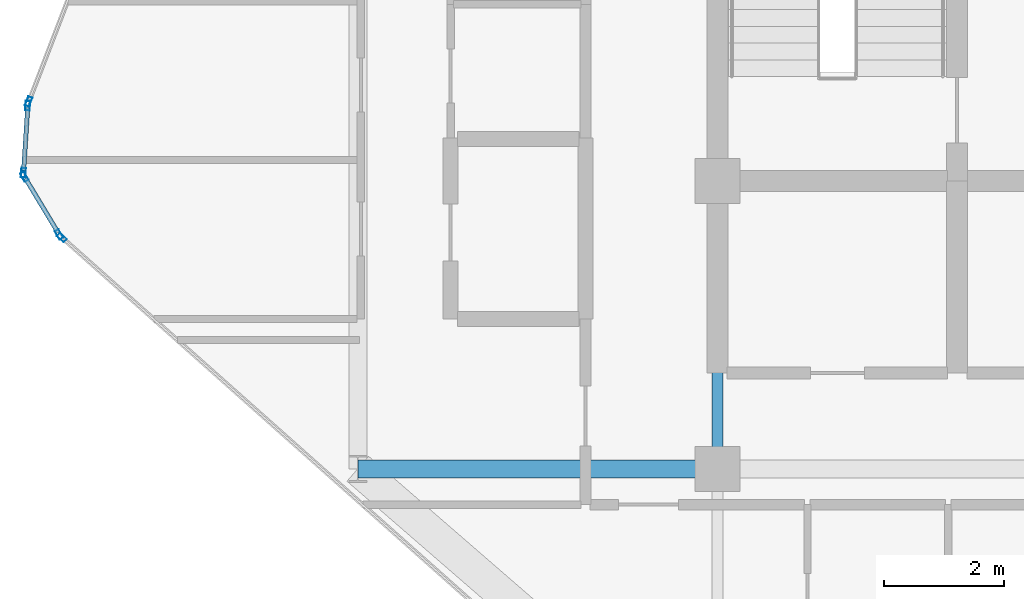
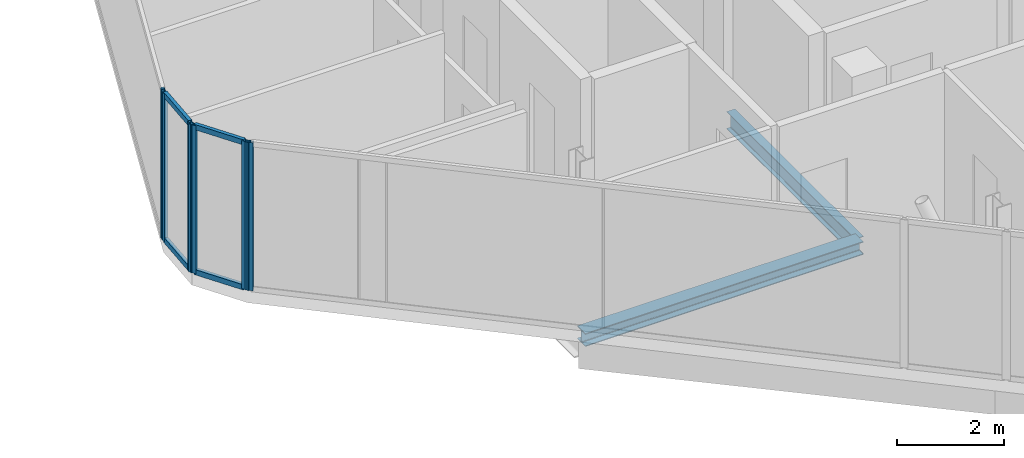
# One storey, part 8 of 29: 10 members, 2 beams, 4 elements without a shape of their own.
"""IFC4 building model written with IfcOpenShell, lengths in metres."""

from ifc_helpers import new_model, si_unit, direction, frame, origin, origin_2d, place, context, subcontext, project, spatial, hollow_rectangle, i_section, extrude, material, layer, layer_set, material_profile, profile_set, type_object, element, aggregate, save


model = new_model("IFC4")

# Units and contexts
model_context = context("Model", 3, precision=1e-05, world=origin(), true_north=direction((0.0, 1.0)))
body_context = subcontext(model_context, "Body", "Model", "MODEL_VIEW")
ifc_project = project(units=[si_unit("LENGTHUNIT", "METRE"), si_unit("AREAUNIT", "SQUARE_METRE"), si_unit("VOLUMEUNIT", "CUBIC_METRE"), si_unit("PLANEANGLEUNIT", "RADIAN"), si_unit("MASSUNIT", "GRAM", prefix="KILO")], contexts=[model_context])

# Site, building, storey
site_placement = place(None, origin())
site = spatial("IfcSite", under=ifc_project, at=site_placement, CompositionType="ELEMENT")
building_placement = place(site_placement, origin())
building = spatial("IfcBuilding", under=site, at=building_placement, Name="Keshet Zoharim Tower", CompositionType="ELEMENT")
storey_placement = place(building_placement, frame((0.0, 0.0, 214.300048828125)))
storey = spatial("IfcBuildingStorey", under=building, at=storey_placement, Name="L53", CompositionType="ELEMENT", Elevation=214.300048828125)

# Beams
ifc_material_1 = material(Name="Steel S355", Category="steel")
ifc_material_profile_1 = material_profile(ifc_material_1, i_section(OverallWidth=0.300048828125, OverallDepth=0.300048828125, WebThickness=0.010986328125, FlangeThickness=0.01904296875, FilletRadius=0.027099609375, at=origin_2d()), Name="HEB300")
ifc_profile_set_1 = profile_set([ifc_material_profile_1], Name="Steel S355")
beam_type_1 = type_object("IfcBeamType", Name="BM-PRI-HB300", PredefinedType="BEAM", material=ifc_profile_set_1)
beam_1_placement = place(storey_placement, frame((9.0, 17.89990234375, -0.4599609375), z_axis=(1.0, 0.0, 0.0), x_axis=(0.0, 1.0, 0.0)))
element("IfcBeam", 1, at=beam_1_placement, inside=storey, type_object=beam_type_1, Name="L53 Primary Girder X-011", PredefinedType="BEAM", context=body_context, shape_type="SweptSolid", body=[
    extrude(i_section(OverallWidth=0.300048828125, OverallDepth=0.300048828125, WebThickness=0.010986328125, FlangeThickness=0.01904296875, FilletRadius=0.027099609375, at=origin_2d()), origin(), (0.0, 0.0, 1.0), 6.0),
])
ifc_material_profile_2 = material_profile(ifc_material_1, i_section(OverallWidth=0.179931640625, OverallDepth=0.39990234375, WebThickness=0.008544921875, FlangeThickness=0.013427734375, FilletRadius=0.02099609375, at=origin_2d()), Name="IPE400")
ifc_profile_set_2 = profile_set([ifc_material_profile_2], Name="Steel S355")
beam_type_2 = type_object("IfcBeamType", Name="BM-PRI-IP400", PredefinedType="BEAM", material=ifc_profile_set_2)
beam_2_placement = place(storey_placement, frame((15.0, 17.89990234375, -0.510009765625), z_axis=(0.0, 1.0, 0.0), x_axis=(-1.0, 0.0, 0.0)))
element("IfcBeam", 2, at=beam_2_placement, inside=storey, type_object=beam_type_2, Name="L53 Primary Girder Y-003", PredefinedType="BEAM", context=body_context, shape_type="SweptSolid", body=[
    extrude(i_section(OverallWidth=0.179931640625, OverallDepth=0.39990234375, WebThickness=0.008544921875, FlangeThickness=0.013427734375, FilletRadius=0.02099609375, at=origin_2d()), origin(), (0.0, 0.0, 1.0), 4.800048828125),
])

# Curtain wall, member
ifc_material_2 = material(Name="Aluminium 6063-T6", Category="aluminium")
ifc_layer = layer(ifc_material_2, 0.139892578125)
ifc_layer_set = layer_set([ifc_layer], Name="Aluminium 6063-T6")
curtain_wall_type = type_object("IfcCurtainWallType", Name="CW-SYS-05", PredefinedType="NOTDEFINED", material=ifc_layer_set)
curtain_wall_1_placement = place(storey_placement, origin())
curtain_wall_1 = element("IfcCurtainWall", 3, at=curtain_wall_1_placement, inside=storey, type_object=curtain_wall_type, Name="L53 Unitised Curtain Wall 10 Part 3", PredefinedType="NOTDEFINED")
ifc_material_profile_3 = material_profile(ifc_material_2, hollow_rectangle(XDim=0.074951171875, YDim=0.159912109375, WallThickness=0.00390625, at=origin_2d()), Name="MUL-75x160")
ifc_profile_set_3 = profile_set([ifc_material_profile_3], Name="Aluminium 6063-T6")
member_type_1 = type_object("IfcMemberType", Name="CWM-M15", PredefinedType="MULLION", material=ifc_profile_set_3)
member_1_placement = place(storey_placement, frame((4.061279296875, 21.7568359375, 0.0), z_axis=(0.0, 0.0, 1.0), x_axis=(-0.664364335267, -0.747408877406, 0.0)))
member_1 = element("IfcMember", 4, at=member_1_placement, type_object=member_type_1, Name="CW-05 mullion 2", PredefinedType="MULLION", context=body_context, shape_type="SweptSolid", body=[
    extrude(hollow_rectangle(XDim=0.074951171875, YDim=0.159912109375, WallThickness=0.00390625, at=origin_2d()), origin(), (0.0, 0.0, 1.0), 3.3798828125),
])
aggregate(curtain_wall_1, [member_1])

# Curtain wall, members
curtain_wall_2_placement = place(storey_placement, origin())
curtain_wall_2 = element("IfcCurtainWall", 5, at=curtain_wall_2_placement, inside=storey, type_object=curtain_wall_type, Name="L53 Unitised Curtain Wall 11", PredefinedType="NOTDEFINED")
member_2_placement = place(storey_placement, frame((4.016845703125, 21.81005859375, 0.0), z_axis=(0.0, 0.0, 1.0), x_axis=(-0.856826433805, -0.515604947933, 0.0)))
member_2 = element("IfcMember", 6, at=member_2_placement, type_object=member_type_1, Name="CW-05 mullion 1", PredefinedType="MULLION", context=body_context, shape_type="SweptSolid", body=[
    extrude(hollow_rectangle(XDim=0.074951171875, YDim=0.159912109375, WallThickness=0.00390625, at=origin_2d()), origin(), (0.0, 0.0, 1.0), 3.3798828125),
])
member_3_placement = place(storey_placement, frame((3.43798828125, 22.77197265625, 0.0), z_axis=(0.0, 0.0, 1.0), x_axis=(-0.856826433805, -0.515604947933, 0.0)))
member_3 = element("IfcMember", 7, at=member_3_placement, type_object=member_type_1, Name="CW-05 mullion 2", PredefinedType="MULLION", context=body_context, shape_type="SweptSolid", body=[
    extrude(hollow_rectangle(XDim=0.074951171875, YDim=0.159912109375, WallThickness=0.00390625, at=origin_2d()), origin(), (0.0, 0.0, 1.0), 3.3798828125),
])

curtain_wall_3_placement = place(storey_placement, origin())
curtain_wall_3 = element("IfcCurtainWall", 8, at=curtain_wall_3_placement, inside=storey, type_object=curtain_wall_type, Name="L53 Unitised Curtain Wall 12", PredefinedType="NOTDEFINED")
member_4_placement = place(storey_placement, frame((3.42236328125, 22.8369140625, 0.0), z_axis=(0.0, 0.0, 1.0), x_axis=(-0.997916617186, 0.064516859374, 0.0)))
member_4 = element("IfcMember", 9, at=member_4_placement, type_object=member_type_1, Name="CW-05 mullion 1", PredefinedType="MULLION", context=body_context, shape_type="SweptSolid", body=[
    extrude(hollow_rectangle(XDim=0.074951171875, YDim=0.159912109375, WallThickness=0.00390625, at=origin_2d()), origin(), (0.0, 0.0, 1.0), 3.3798828125),
])
member_5_placement = place(storey_placement, frame((3.49462890625, 23.9580078125, 0.0), z_axis=(0.0, 0.0, 1.0), x_axis=(-0.997916617186, 0.064516859374, 0.0)))
member_5 = element("IfcMember", 10, at=member_5_placement, type_object=member_type_1, Name="CW-05 mullion 2", PredefinedType="MULLION", context=body_context, shape_type="SweptSolid", body=[
    extrude(hollow_rectangle(XDim=0.074951171875, YDim=0.159912109375, WallThickness=0.00390625, at=origin_2d()), origin(), (0.0, 0.0, 1.0), 3.3798828125),
])

# Curtain wall, member
curtain_wall_4_placement = place(storey_placement, origin())
curtain_wall_4 = element("IfcCurtainWall", 11, at=curtain_wall_4_placement, inside=storey, type_object=curtain_wall_type, Name="L53 Unitised Curtain Wall 13", PredefinedType="NOTDEFINED")
member_6_placement = place(storey_placement, frame((3.509521484375, 24.025634765625, 0.0), z_axis=(0.0, 0.0, 1.0), x_axis=(-0.933341404361, 0.358990003907, 0.0)))
member_6 = element("IfcMember", 12, at=member_6_placement, type_object=member_type_1, Name="CW-05 mullion 1", PredefinedType="MULLION", context=body_context, shape_type="SweptSolid", body=[
    extrude(hollow_rectangle(XDim=0.074951171875, YDim=0.159912109375, WallThickness=0.00390625, at=origin_2d()), origin(), (0.0, 0.0, 1.0), 3.3798828125),
])
aggregate(curtain_wall_4, [member_6])

# Member
ifc_material_profile_4 = material_profile(ifc_material_2, hollow_rectangle(XDim=0.074951171875, YDim=0.1201171875, WallThickness=0.00390625, at=origin_2d()), Name="TRN-75x120")
ifc_profile_set_4 = profile_set([ifc_material_profile_4], Name="Aluminium 6063-T6")
member_type_2 = type_object("IfcMemberType", Name="CWT-T12", PredefinedType="USERDEFINED", material=ifc_profile_set_4)
member_7_placement = place(storey_placement, frame((3.9990234375, 21.840087890625, 0.034912109375), z_axis=(-0.515791194107, 0.856714330499, 0.0), x_axis=(-0.856714330499, -0.515791194107, 0.0)))
member_7 = element("IfcMember", 13, at=member_7_placement, type_object=member_type_2, Name="CW-05 transom 1.1", ObjectType="TRANSOM", PredefinedType="USERDEFINED", context=body_context, shape_type="SweptSolid", body=[
    extrude(hollow_rectangle(XDim=0.074951171875, YDim=0.1201171875, WallThickness=0.00390625, at=origin_2d()), origin(), (0.0, 0.0, 1.0), 1.052734375),
])

member_8_placement = place(storey_placement, frame((3.9990234375, 21.840087890625, 3.344970703125), z_axis=(-0.515791194107, 0.856714330499, 0.0), x_axis=(-0.856714330499, -0.515791194107, 0.0)))
member_8 = element("IfcMember", 14, at=member_8_placement, type_object=member_type_2, Name="CW-05 transom 1.2", ObjectType="TRANSOM", PredefinedType="USERDEFINED", context=body_context, shape_type="SweptSolid", body=[
    extrude(hollow_rectangle(XDim=0.074951171875, YDim=0.1201171875, WallThickness=0.00390625, at=origin_2d()), origin(), (0.0, 0.0, 1.0), 1.052734375),
])

aggregate(curtain_wall_2, [member_2, member_3, member_7, member_8])

member_9_placement = place(storey_placement, frame((3.424560546875, 22.871826171875, 0.034912109375), z_axis=(0.064426947155, 0.997922426083, 0.0), x_axis=(-0.997922426083, 0.064426947155, 0.0)))
member_9 = element("IfcMember", 15, at=member_9_placement, type_object=member_type_2, Name="CW-05 transom 1.1", ObjectType="TRANSOM", PredefinedType="USERDEFINED", context=body_context, shape_type="SweptSolid", body=[
    extrude(hollow_rectangle(XDim=0.074951171875, YDim=0.1201171875, WallThickness=0.00390625, at=origin_2d()), origin(), (0.0, 0.0, 1.0), 1.053466796875),
])

member_10_placement = place(storey_placement, frame((3.424560546875, 22.871826171875, 3.344970703125), z_axis=(0.064426947155, 0.997922426083, 0.0), x_axis=(-0.997922426083, 0.064426947155, 0.0)))
member_10 = element("IfcMember", 16, at=member_10_placement, type_object=member_type_2, Name="CW-05 transom 1.2", ObjectType="TRANSOM", PredefinedType="USERDEFINED", context=body_context, shape_type="SweptSolid", body=[
    extrude(hollow_rectangle(XDim=0.074951171875, YDim=0.1201171875, WallThickness=0.00390625, at=origin_2d()), origin(), (0.0, 0.0, 1.0), 1.053466796875),
])

aggregate(curtain_wall_3, [member_4, member_5, member_9, member_10])

save(model, "model.ifc")
